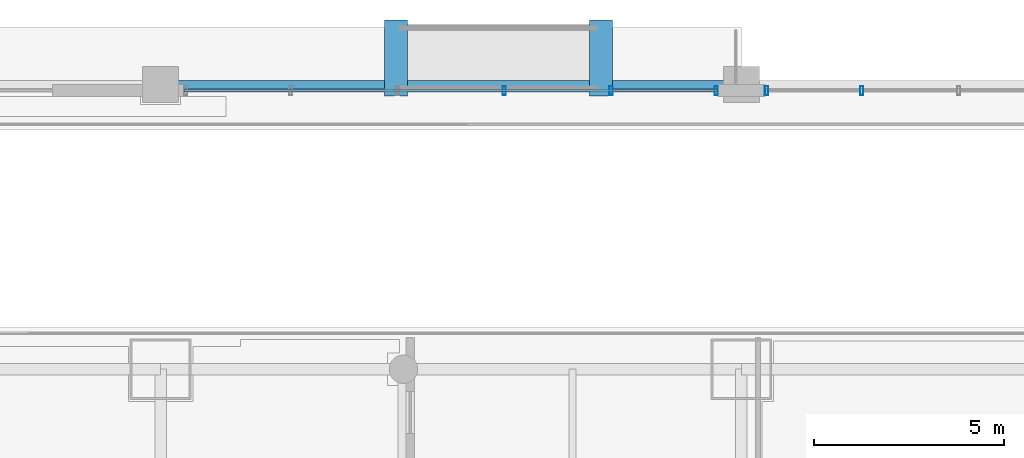
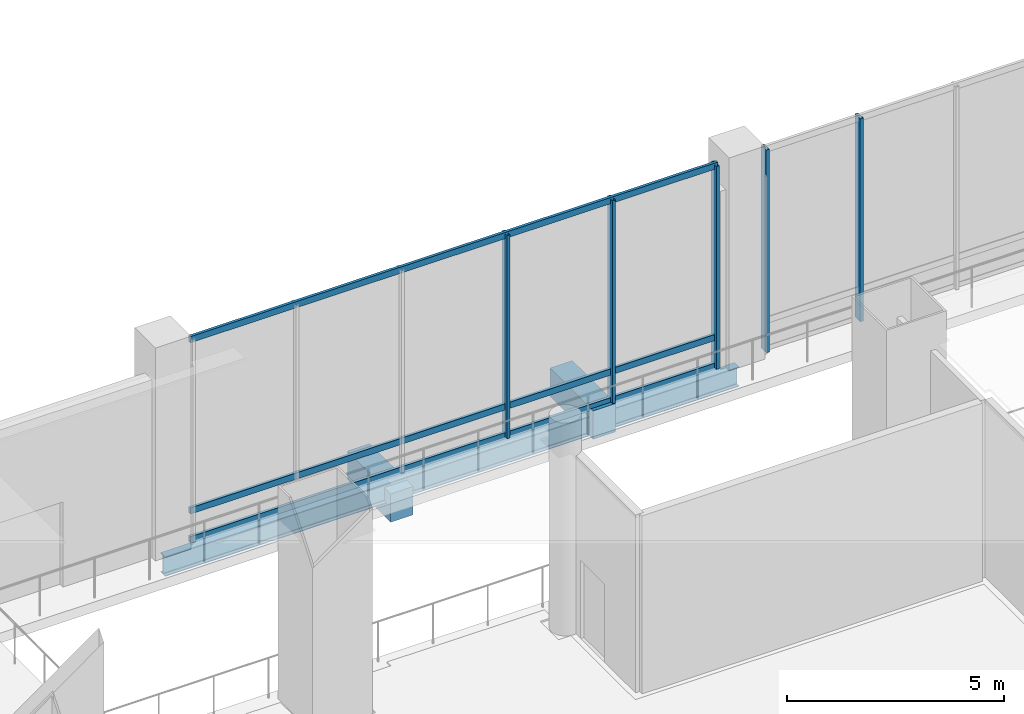
# One storey, part 12 of 32: 8 members, 3 beams, 2 elements without a shape of their own.
"""IFC4 building model written with IfcOpenShell, lengths in metres."""

from ifc_helpers import new_model, si_unit, direction, frame, origin, origin_2d, place, context, subcontext, project, spatial, rectangle, hollow_rectangle, i_section, extrude, material, material_profile, profile_set, type_object, element, aggregate, save


model = new_model("IFC4")

# Units and contexts
model_context = context("Model", 3, precision=1e-05, world=origin(), true_north=direction((0.0, 1.0)))
body_context = subcontext(model_context, "Body", "Model", "MODEL_VIEW")
ifc_project = project(units=[si_unit("LENGTHUNIT", "METRE"), si_unit("AREAUNIT", "SQUARE_METRE"), si_unit("VOLUMEUNIT", "CUBIC_METRE"), si_unit("PLANEANGLEUNIT", "RADIAN"), si_unit("MASSUNIT", "GRAM", prefix="KILO")], contexts=[model_context])

# Site, building, storey
site_placement = place(None, origin())
site = spatial("IfcSite", under=ifc_project, at=site_placement, CompositionType="ELEMENT")
building_placement = place(site_placement, origin())
building = spatial("IfcBuilding", under=site, at=building_placement, Name="Punatoya Terracotta Tower", CompositionType="ELEMENT")
storey_placement = place(building_placement, origin())
storey = spatial("IfcBuildingStorey", under=building, at=storey_placement, Name="L00", CompositionType="ELEMENT", Elevation=0.0)

# Beams
ifc_material_1 = material(Name="Concrete C45/55", Category="concrete")
ifc_material_profile_1 = material_profile(ifc_material_1, rectangle(XDim=0.60009765625, YDim=0.800048828125, at=origin_2d()))
ifc_profile_set_1 = profile_set([ifc_material_profile_1], Name="Concrete C45/55")
beam_type_1 = type_object("IfcBeamType", Name="BM-RC-GRD", PredefinedType="BEAM", material=ifc_profile_set_1)
for number, where, z_axis, x_axis, name in (
    (1, (10.0, 24.699951171875, -0.85009765625), (0.0, 1.0, 0.0), (-1.0, 0.0, 0.0), "GB-PR4-LO"),
    (2, (15.39990234375, 24.699951171875, -0.39990234375), (0.0, 1.0, 0.0), (-1.0, 0.0, 0.0), "GB-PR4-HI"),
):
    element("IfcBeam", number, at=place(storey_placement, frame(where, z_axis=z_axis, x_axis=x_axis)), inside=storey, type_object=beam_type_1, Name=name, PredefinedType="BEAM", context=body_context, shape_type="SweptSolid", body=[
        extrude(rectangle(XDim=0.60009765625, YDim=0.800048828125, at=origin_2d()), origin(), (0.0, 0.0, 1.0), 2.0),
    ])
ifc_material_2 = material(Name="Steel S355", Category="steel")
ifc_material_profile_2 = material_profile(ifc_material_2, i_section(OverallWidth=0.2099609375, OverallDepth=0.550048828125, WebThickness=0.010986328125, FlangeThickness=0.01708984375, FilletRadius=0.01806640625, at=origin_2d()))
ifc_profile_set_2 = profile_set([ifc_material_profile_2], Name="Steel S355")
beam_type_2 = type_object("IfcBeamType", Name="BM-SPN-550", PredefinedType="SPANDREL", material=ifc_profile_set_2)
beam_placement = place(storey_placement, frame((3.800048828125, 25.0, -0.554931640625), z_axis=(1.0, 0.0, 0.0), x_axis=(0.0, 1.0, 0.0)))
element("IfcBeam", 3, at=beam_placement, inside=storey, type_object=beam_type_2, Name="BM-L00-MIDH-3", PredefinedType="SPANDREL", context=body_context, shape_type="SweptSolid", body=[
    extrude(i_section(OverallWidth=0.2099609375, OverallDepth=0.550048828125, WebThickness=0.010986328125, FlangeThickness=0.01708984375, FilletRadius=0.01806640625, at=origin_2d()), origin(), (0.0, 0.0, 1.0), 15.300048828125),
])

# Curtain wall, members
ifc_material_3 = material(Name="Aluminium 6063-T6 + Double Low-E Glass", Category="aluminium")
curtain_wall_type = type_object("IfcCurtainWallType", Name="CW-POD", PredefinedType="NOTDEFINED", material=ifc_material_3)
curtain_wall_1_placement = place(storey_placement, origin())
curtain_wall_1 = element("IfcCurtainWall", 4, at=curtain_wall_1_placement, inside=storey, type_object=curtain_wall_type, Name="L00 Curtain Wall CWP-L00-N2-1", PredefinedType="NOTDEFINED")
ifc_material_4 = material(Name="Aluminium 6063-T6", Category="aluminium")
ifc_material_profile_3 = material_profile(ifc_material_4, hollow_rectangle(XDim=0.0849609375, YDim=0.239990234375, WallThickness=0.0048828125, at=origin_2d()))
ifc_profile_set_3 = profile_set([ifc_material_profile_3], Name="Aluminium 6063-T6")
member_type_1 = type_object("IfcMemberType", Name="CW-MUL-POD", PredefinedType="MULLION", material=ifc_profile_set_3)
member_1_placement = place(storey_placement, frame((12.85595703125, 24.840087890625, 0.0), z_axis=(0.0, 0.0, 1.0), x_axis=(1.0, 0.0, 0.0)))
member_1 = element("IfcMember", 5, at=member_1_placement, type_object=member_type_1, Name="CWP-L00-N2-1 Mullion 03", PredefinedType="MULLION", context=body_context, shape_type="SweptSolid", body=[
    extrude(hollow_rectangle(XDim=0.0849609375, YDim=0.239990234375, WallThickness=0.0048828125, at=origin_2d()), origin(), (0.0, 0.0, 1.0), 5.719970703125),
])
member_2_placement = place(storey_placement, frame((15.66796875, 24.840087890625, 0.0), z_axis=(0.0, 0.0, 1.0), x_axis=(1.0, 0.0, 0.0)))
member_2 = element("IfcMember", 6, at=member_2_placement, type_object=member_type_1, Name="CWP-L00-N2-1 Mullion 04", PredefinedType="MULLION", context=body_context, shape_type="SweptSolid", body=[
    extrude(hollow_rectangle(XDim=0.0849609375, YDim=0.239990234375, WallThickness=0.0048828125, at=origin_2d()), origin(), (0.0, 0.0, 1.0), 5.719970703125),
])
member_3_placement = place(storey_placement, frame((18.43505859375, 24.840087890625, 0.0), z_axis=(0.0, 0.0, 1.0), x_axis=(1.0, 0.0, 0.0)))
member_3 = element("IfcMember", 7, at=member_3_placement, type_object=member_type_1, Name="CWP-L00-N2-1 Mullion 05", PredefinedType="MULLION", context=body_context, shape_type="SweptSolid", body=[
    extrude(hollow_rectangle(XDim=0.0849609375, YDim=0.239990234375, WallThickness=0.0048828125, at=origin_2d()), origin(), (0.0, 0.0, 1.0), 5.719970703125),
])

curtain_wall_2_placement = place(storey_placement, origin())
curtain_wall_2 = element("IfcCurtainWall", 8, at=curtain_wall_2_placement, inside=storey, type_object=curtain_wall_type, Name="L00 Curtain Wall CWP-L00-N2-2", PredefinedType="NOTDEFINED")
member_4_placement = place(storey_placement, frame((19.764892578125, 24.840087890625, 0.0), z_axis=(0.0, 0.0, 1.0), x_axis=(1.0, 0.0, 0.0)))
member_4 = element("IfcMember", 9, at=member_4_placement, type_object=member_type_1, Name="CWP-L00-N2-2 Mullion 00", PredefinedType="MULLION", context=body_context, shape_type="SweptSolid", body=[
    extrude(hollow_rectangle(XDim=0.0849609375, YDim=0.239990234375, WallThickness=0.0048828125, at=origin_2d()), origin(), (0.0, 0.0, 1.0), 5.719970703125),
])
member_5_placement = place(storey_placement, frame((22.273193359375, 24.840087890625, 0.0), z_axis=(0.0, 0.0, 1.0), x_axis=(1.0, 0.0, 0.0)))
member_5 = element("IfcMember", 10, at=member_5_placement, type_object=member_type_1, Name="CWP-L00-N2-2 Mullion 01", PredefinedType="MULLION", context=body_context, shape_type="SweptSolid", body=[
    extrude(hollow_rectangle(XDim=0.0849609375, YDim=0.239990234375, WallThickness=0.0048828125, at=origin_2d()), origin(), (0.0, 0.0, 1.0), 5.719970703125),
])
aggregate(curtain_wall_2, [member_4, member_5])

# Member
ifc_material_profile_4 = material_profile(ifc_material_4, hollow_rectangle(XDim=0.074951171875, YDim=0.175048828125, WallThickness=0.00439453125, at=origin_2d()))
ifc_profile_set_4 = profile_set([ifc_material_profile_4], Name="Aluminium 6063-T6")
member_type_2 = type_object("IfcMemberType", Name="CW-TRN-POD", PredefinedType="USERDEFINED", material=ifc_profile_set_4)
member_6_placement = place(storey_placement, frame((4.419921875, 24.840087890625, 0.0400390625), z_axis=(1.0, 0.0, 0.0), x_axis=(0.0, 1.0, 0.0)))
member_6 = element("IfcMember", 11, at=member_6_placement, type_object=member_type_2, Name="CWP-L00-N2-1 Transom 1", ObjectType="TRANSOM", PredefinedType="USERDEFINED", context=body_context, shape_type="SweptSolid", body=[
    extrude(hollow_rectangle(XDim=0.074951171875, YDim=0.175048828125, WallThickness=0.00439453125, at=origin_2d()), origin(), (0.0, 0.0, 1.0), 14.06005859375),
])

member_7_placement = place(storey_placement, frame((4.419921875, 24.840087890625, 0.85009765625), z_axis=(1.0, 0.0, 0.0), x_axis=(0.0, 1.0, 0.0)))
member_7 = element("IfcMember", 12, at=member_7_placement, type_object=member_type_2, Name="CWP-L00-N2-1 Transom 2", ObjectType="TRANSOM", PredefinedType="USERDEFINED", context=body_context, shape_type="SweptSolid", body=[
    extrude(hollow_rectangle(XDim=0.074951171875, YDim=0.175048828125, WallThickness=0.00439453125, at=origin_2d()), origin(), (0.0, 0.0, 1.0), 14.06005859375),
])

member_8_placement = place(storey_placement, frame((4.419921875, 24.840087890625, 5.679931640625), z_axis=(1.0, 0.0, 0.0), x_axis=(0.0, 1.0, 0.0)))
member_8 = element("IfcMember", 13, at=member_8_placement, type_object=member_type_2, Name="CWP-L00-N2-1 Transom 3", ObjectType="TRANSOM", PredefinedType="USERDEFINED", context=body_context, shape_type="SweptSolid", body=[
    extrude(hollow_rectangle(XDim=0.074951171875, YDim=0.175048828125, WallThickness=0.00439453125, at=origin_2d()), origin(), (0.0, 0.0, 1.0), 14.06005859375),
])

aggregate(curtain_wall_1, [member_1, member_2, member_3, member_6, member_7, member_8])

save(model, "model.ifc")
